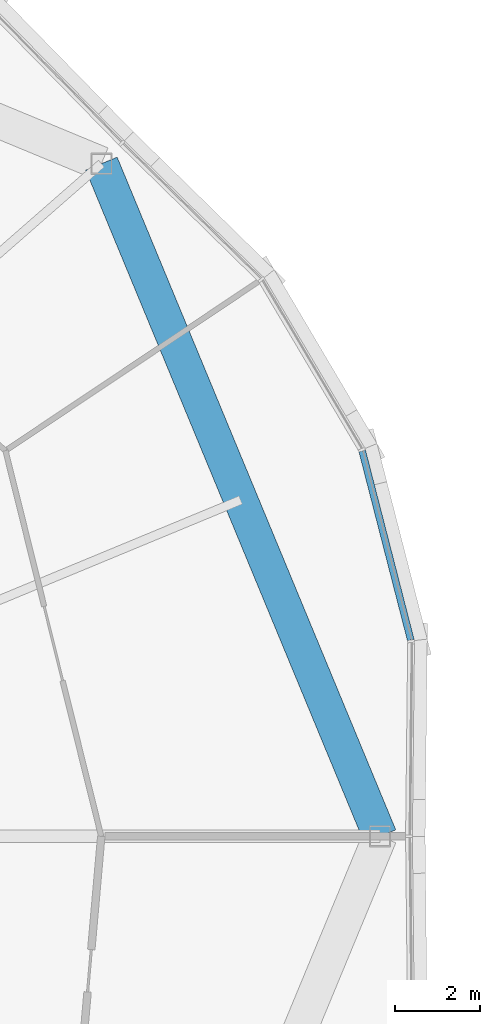
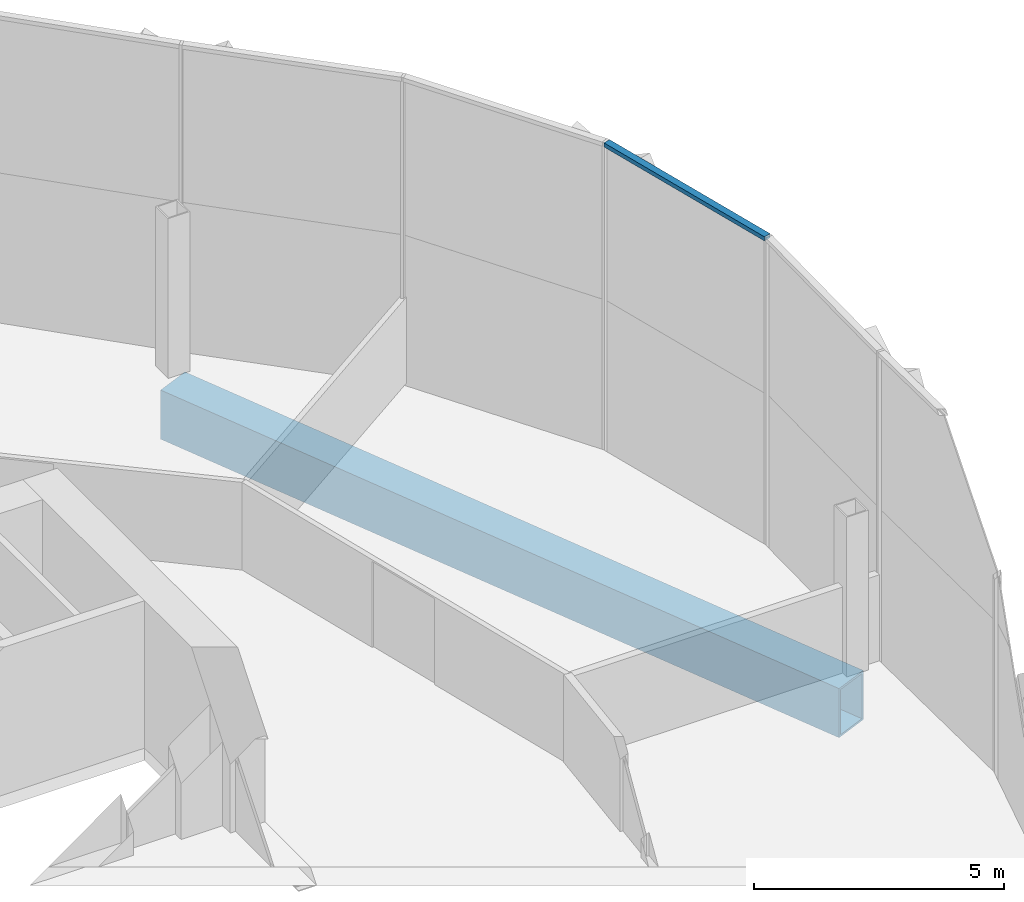
# One storey, part 7 of 27: 1 beam, 1 member, 1 element without a shape of its own.
"""IFC4 building model written with IfcOpenShell, lengths in metres."""

import ifcopenshell
import ifcopenshell.guid

model = None  # the IFC model being written
_history = None  # IfcOwnerHistory: only IFC2X3 demands one
_inside = {}  # id of a spatial element -> (the spatial element, [elements in it])
_under = {}  # id of a project, library or spatial element -> (it, [spatial elements below it])
_declared = {}  # id of a project -> (the project, [libraries it declares])
_typed = {}  # id of a type object -> (the type object, [elements of that type])
_made_of = {}  # id of a material, layer set ... -> (it, [elements and type objects made of it])


def new_model(schema):
    """Start an empty IFC model of exactly this schema.

    Asked for "IFC4X3", IfcOpenShell would pick the latest addendum, in which some entities
    have other attributes; the version numbers below select the first issue.
    IFC2X3 requires an IfcOwnerHistory on every rooted entity: one is made here for all.
    """
    global model, _history
    if schema == "IFC4X3":
        model = ifcopenshell.file(schema_version=(4, 3, 0, 0))
    else:
        model = ifcopenshell.file(schema=schema)
    _inside.clear()
    _under.clear()
    _declared.clear()
    _typed.clear()
    _made_of.clear()
    _history = None
    if model.schema == "IFC2X3":
        org = make("IfcOrganization", Name="unknown")
        user = make(
            "IfcPersonAndOrganization",
            ThePerson=make("IfcPerson", FamilyName="unknown"),
            TheOrganization=org,
        )
        app = make(
            "IfcApplication",
            ApplicationDeveloper=org,
            Version="unknown",
            ApplicationFullName="unknown",
            ApplicationIdentifier="unknown",
        )
        _history = make(
            "IfcOwnerHistory",
            OwningUser=user,
            OwningApplication=app,
            ChangeAction="ADDED",
            CreationDate=0,
        )
    return model


def make(cls, **values):
    """One entity of the class cls with the attributes given. An attribute that is None is left unset."""
    return model.create_entity(
        cls, **{name: value for name, value in values.items() if value is not None}
    )


def rooted(cls, **values):
    """An entity with a GlobalId (a new one), such as an element, a storey or a relation."""
    return make(cls, GlobalId=ifcopenshell.guid.new(), OwnerHistory=_history, **values)


def si_unit(unit_type, name, prefix=None):
    """IfcSIUnit, for example si_unit("LENGTHUNIT", "METRE", prefix="MILLI")."""
    return make("IfcSIUnit", UnitType=unit_type, Prefix=prefix, Name=name)


def assignment(units):
    """IfcUnitAssignment: the units of a project."""
    return None if units is None else make("IfcUnitAssignment", Units=units)


def point(xyz):
    """IfcCartesianPoint."""
    return None if xyz is None else make("IfcCartesianPoint", Coordinates=xyz)


def direction(xyz):
    """IfcDirection."""
    return None if xyz is None else make("IfcDirection", DirectionRatios=xyz)


def frame(location, z_axis=None, x_axis=None):
    """IfcAxis2Placement3D, a coordinate frame: its origin and axes. An axis left out is left unset."""
    return make(
        "IfcAxis2Placement3D",
        Location=point(location),
        Axis=direction(z_axis),
        RefDirection=direction(x_axis),
    )


def frame_2d(location, x_axis=None):
    """IfcAxis2Placement2D, a coordinate frame in the plane: its origin and x axis."""
    return make(
        "IfcAxis2Placement2D", Location=point(location), RefDirection=direction(x_axis)
    )


def origin():
    """The frame at (0, 0, 0) with its axes left unset."""
    return frame((0.0, 0.0, 0.0))


def origin_2d():
    """The frame at (0, 0) in the plane with its x axis left unset."""
    return frame_2d((0.0, 0.0))


def place(relative_to, where):
    """IfcLocalPlacement: puts the frame where relative to a parent placement (None: the world)."""
    return make(
        "IfcLocalPlacement", PlacementRelTo=relative_to, RelativePlacement=where
    )


def context(
    kind, dimensions, precision=None, world=None, true_north=None, identifier=None
):
    """IfcGeometricRepresentationContext, for example the 3D "Model" context."""
    return make(
        "IfcGeometricRepresentationContext",
        ContextIdentifier=identifier,
        ContextType=kind,
        CoordinateSpaceDimension=dimensions,
        Precision=precision,
        WorldCoordinateSystem=world,
        TrueNorth=true_north,
    )


def subcontext(parent, identifier, kind, view, scale=None):
    """IfcGeometricRepresentationSubContext, for example "Body" below "Model"."""
    return make(
        "IfcGeometricRepresentationSubContext",
        ContextIdentifier=identifier,
        ContextType=kind,
        ParentContext=parent,
        TargetScale=scale,
        TargetView=view,
    )


def project(units=None, contexts=None):
    """IfcProject with its units and contexts."""
    return rooted(
        "IfcProject",
        Name="project",
        RepresentationContexts=contexts,
        UnitsInContext=assignment(units),
    )


def spatial(cls, under=None, at=None, **own):
    """A site, building, storey or space (cls), placed at a placement, below another one or the project."""
    s = rooted(cls, ObjectPlacement=at, **own)
    if under is not None:
        _under.setdefault(under.id(), (under, []))[1].append(s)
    return s


def profile(cls, at=None, kind="AREA", **sizes):
    """A parametric profile (cls). Its sizes go by their IFC names, for example OverallWidth=200.0."""
    return make(cls, ProfileType=kind, Position=at, **sizes)


def rectangle(**sizes):
    """IfcRectangleProfileDef."""
    return profile("IfcRectangleProfileDef", **sizes)


def hollow_rectangle(**sizes):
    """IfcRectangleHollowProfileDef."""
    return profile("IfcRectangleHollowProfileDef", **sizes)


def extrude(swept, where, along, depth):
    """IfcExtrudedAreaSolid: the profile swept, set in the frame where, extruded along a direction by depth."""
    return make(
        "IfcExtrudedAreaSolid",
        SweptArea=swept,
        Position=where,
        ExtrudedDirection=direction(along),
        Depth=depth,
    )


def shape(context_of_items, identifier, shape_type, items):
    """IfcShapeRepresentation: the items that make up one representation, for example the "Body"."""
    return make(
        "IfcShapeRepresentation",
        ContextOfItems=context_of_items,
        RepresentationIdentifier=identifier,
        RepresentationType=shape_type,
        Items=items,
    )


def material(Name=None, Category=None):
    """IfcMaterial."""
    return make("IfcMaterial", Name=Name, Category=Category)


def material_profile(
    of_material, cross_section, Name=None, Category=None, Priority=None
):
    """IfcMaterialProfile: a cross section and its material."""
    return make(
        "IfcMaterialProfile",
        Name=Name,
        Material=of_material,
        Profile=cross_section,
        Priority=Priority,
        Category=Category,
    )


def profile_set(profiles, Name=None, composite=None):
    """IfcMaterialProfileSet."""
    return make(
        "IfcMaterialProfileSet",
        Name=Name,
        MaterialProfiles=profiles,
        CompositeProfile=composite,
    )


def made_of(thing, what):
    """Note that an element or type object is made of a material, layer set ...; save() writes the relation."""
    if what is not None:
        _made_of.setdefault(what.id(), (what, []))[1].append(thing)
    return thing


def type_object(cls, material=None, **own):
    """A type object (cls), such as IfcWallType, which elements share."""
    return made_of(rooted(cls, **own), material)


def element(
    cls,
    number,
    at=None,
    inside=None,
    cuts=None,
    type_object=None,
    material=None,
    context=None,
    identifier="Body",
    shape_type=None,
    held_by="IfcProductDefinitionShape",
    body=None,
    shapes=None,
    **own,
):
    """One element of the class cls, such as IfcWall. Its Tag is "e" and its number.

    at: its placement. inside: the storey or other place that contains it. cuts: it is an
    opening in that element (IfcRelVoidsElement). A single representation is given by context,
    identifier, shape_type and body (its items); several are given by shapes. held_by: the class
    of the entity that holds the representations. save() writes the other relations.
    """
    e = rooted(cls, Tag="e%d" % number, ObjectPlacement=at, **own)
    if body is not None:
        shapes = [shape(context, identifier, shape_type, body)]
    if shapes is not None:
        e.Representation = make(held_by, Representations=shapes)
    if inside is not None:
        _inside.setdefault(inside.id(), (inside, []))[1].append(e)
    if cuts is not None:
        rooted(
            "IfcRelVoidsElement", RelatingBuildingElement=cuts, RelatedOpeningElement=e
        )
    if type_object is not None:
        _typed.setdefault(type_object.id(), (type_object, []))[1].append(e)
    return made_of(e, material)


def aggregate(whole, parts):
    """IfcRelAggregates: a whole, such as a stair, and the parts it consists of."""
    return rooted("IfcRelAggregates", RelatingObject=whole, RelatedObjects=parts)


def save(model, path):
    """Write the relations noted so far, then the file.

    IfcRelAggregates (storeys below a building ...), IfcRelContainedInSpatialStructure (elements
    in a storey), IfcRelDefinesByType, IfcRelAssociatesMaterial and IfcRelDeclares: one each for
    every whole, place, type object, material and project.
    """
    for whole, parts in _under.values():
        aggregate(whole, parts)
    for where, things in _inside.values():
        rooted(
            "IfcRelContainedInSpatialStructure",
            RelatedElements=things,
            RelatingStructure=where,
        )
    for kind, things in _typed.values():
        rooted("IfcRelDefinesByType", RelatedObjects=things, RelatingType=kind)
    for what, things in _made_of.values():
        rooted("IfcRelAssociatesMaterial", RelatedObjects=things, RelatingMaterial=what)
    for by, libraries in _declared.values():
        rooted("IfcRelDeclares", RelatingContext=by, RelatedDefinitions=libraries)
    model.write(path)


model = new_model("IFC4")

# Units and contexts
model_context = context("Model", 3, precision=1e-05, world=origin(), true_north=direction((0.0, 1.0)))
body_context = subcontext(model_context, "Body", "Model", "MODEL_VIEW")
ifc_project = project(units=[si_unit("LENGTHUNIT", "METRE"), si_unit("AREAUNIT", "SQUARE_METRE"), si_unit("VOLUMEUNIT", "CUBIC_METRE"), si_unit("PLANEANGLEUNIT", "RADIAN"), si_unit("MASSUNIT", "GRAM", prefix="KILO")], contexts=[model_context])

# Site, building, storey
site_placement = place(None, origin())
site = spatial("IfcSite", under=ifc_project, at=site_placement, CompositionType="ELEMENT")
building_placement = place(site_placement, origin())
building = spatial("IfcBuilding", under=site, at=building_placement, Name="Ogive Gate Towers", CompositionType="ELEMENT")
storey_placement = place(building_placement, frame((0.0, 0.0, 123.0)))
storey = spatial("IfcBuildingStorey", under=building, at=storey_placement, Name="L29", CompositionType="ELEMENT", Elevation=123.0)

# Beam
ifc_material_1 = material(Name="Steel SM460", Category="steel")
ifc_material_profile_1 = material_profile(ifc_material_1, hollow_rectangle(XDim=0.800048828125, YDim=1.199951171875, WallThickness=0.050048828125, at=origin_2d()), Name="BX 1200x800x50")
ifc_profile_set_1 = profile_set([ifc_material_profile_1], Name="Steel SM460")
beam_type = type_object("IfcBeamType", Name="Edge girder BX 1200x800x50", PredefinedType="BEAM", material=ifc_profile_set_1)
beam_placement = place(storey_placement, frame((-13.64990234375, 0.0, -0.89990234375), z_axis=(-0.382679941797, 0.923880978344, 0.0), x_axis=(-0.923880978344, -0.382679941797, 0.0)))
element("IfcBeam", 1, at=beam_placement, inside=storey, type_object=beam_type, Name="T1/L29/SBM020", PredefinedType="BEAM", context=body_context, shape_type="SweptSolid", body=[
    extrude(hollow_rectangle(XDim=0.800048828125, YDim=1.199951171875, WallThickness=0.050048828125, at=origin_2d()), origin(), (0.0, 0.0, 1.0), 17.10595703125),
])

# Curtain wall, member
ifc_material_2 = material(Name="Pale metal aluminium", Category="aluminium")
curtain_wall_type = type_object("IfcCurtainWallType", Name="Tower unitised wall, low zone", PredefinedType="NOTDEFINED", material=ifc_material_2)
curtain_wall_placement = place(storey_placement, origin())
curtain_wall = element("IfcCurtainWall", 2, at=curtain_wall_placement, inside=storey, type_object=curtain_wall_type, Name="CW1 T1 ECW01", PredefinedType="NOTDEFINED")
ifc_material_profile_2 = material_profile(ifc_material_2, rectangle(XDim=0.159912109375, YDim=0.10009765625, at=origin_2d()), Name="100 x 160 aluminium box")
ifc_profile_set_2 = profile_set([ifc_material_profile_2], Name="Pale metal aluminium")
member_type = type_object("IfcMemberType", Name="Tower unitised wall, low zone transom 100 x 160", PredefinedType="USERDEFINED", material=ifc_profile_set_2)
member_placement = place(storey_placement, frame((-12.92724609375, 4.611083984375, 7.449951171875), z_axis=(-0.248802897809, 0.968554137899, 0.0), x_axis=(-0.968554137899, -0.248802897809, 0.0)))
member = element("IfcMember", 3, at=member_placement, type_object=member_type, Name="CW1 transom", ObjectType="TRANSOM", PredefinedType="USERDEFINED", context=body_context, shape_type="SweptSolid", body=[
    extrude(rectangle(XDim=0.159912109375, YDim=0.10009765625, at=origin_2d()), origin(), (0.0, 0.0, 1.0), 4.58837890625),
])
aggregate(curtain_wall, [member])

save(model, "model.ifc")
